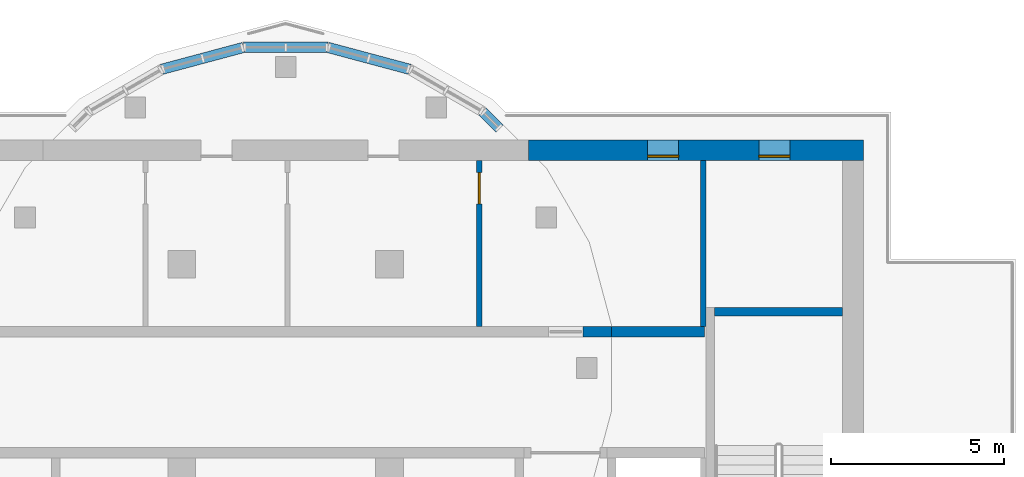
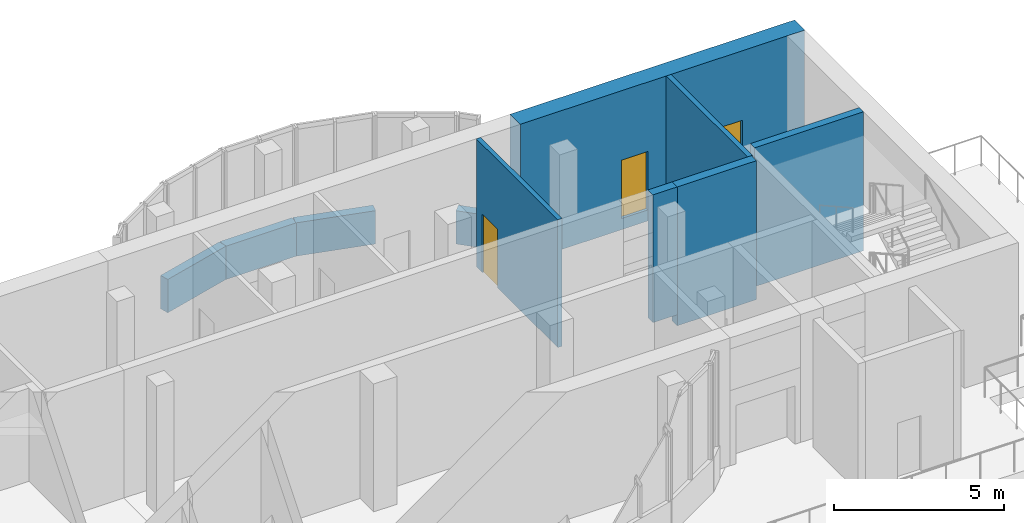
# One storey, part 6 of 10: 10 walls, 3 doors, 3 openings.
"""IFC4 building model written with IfcOpenShell, lengths in metres."""

from ifc_helpers import new_model, si_unit, direction, frame, frame_2d, origin, place, context, subcontext, project, spatial, rectangle, extrude, source, transform, mapped, material, layer, layer_set, type_object, element, fill, save


model = new_model("IFC4")

# Units and contexts
model_context = context("Model", 3, precision=1e-05, world=origin(), true_north=direction((0.0, 1.0)))
body_context = subcontext(model_context, "Body", "Model", "MODEL_VIEW")
ifc_project = project(units=[si_unit("LENGTHUNIT", "METRE"), si_unit("AREAUNIT", "SQUARE_METRE"), si_unit("VOLUMEUNIT", "CUBIC_METRE"), si_unit("PLANEANGLEUNIT", "RADIAN"), si_unit("MASSUNIT", "GRAM", prefix="KILO")], contexts=[model_context])

# Site, building, storey
site_placement = place(None, origin())
site = spatial("IfcSite", under=ifc_project, at=site_placement, CompositionType="ELEMENT")
building_placement = place(site_placement, origin())
building = spatial("IfcBuilding", under=site, at=building_placement, Name="Kilnfold Tower and Market Hall", CompositionType="ELEMENT")
storey_placement = place(building_placement, frame((0.0, 0.0, 323.800048828125)))
storey = spatial("IfcBuildingStorey", under=building, at=storey_placement, Name="L81 Crown Plant", CompositionType="ELEMENT", Elevation=323.800048828125)

# Wall
ifc_material_1 = material(Name="Concrete C50", Category="concrete")
ifc_layer_1 = layer(ifc_material_1, 0.25)
ifc_layer_set_1 = layer_set([ifc_layer_1], Name="Concrete C50")
wall_type_1 = type_object("IfcWallType", Name="CORE WALL 250 C50", PredefinedType="SHEAR", material=ifc_layer_set_1)
shared_shape_1 = source(origin(), body_context, "Body", "SweptSolid", [
    extrude(rectangle(XDim=3.7001953125, YDim=0.25, at=frame_2d((1.85009765625, 0.0))), origin(), (0.0, 0.0, 1.0), 5.0),
])
wall_1_placement = place(storey_placement, frame((13.39990234375, 16.625, -0.400146484375), z_axis=(0.0, 0.0, 1.0), x_axis=(1.0, 0.0, 0.0)))
element("IfcWall", 1, at=wall_1_placement, inside=storey, type_object=wall_type_1, Name="Stair enclosure ST2", PredefinedType="SHEAR", context=body_context, shape_type="MappedRepresentation", body=[
    mapped(shared_shape_1, transform((0.0, 0.0, 0.0))),
])

# Wall, openings, doors
ifc_material_2 = material(Name="Concrete C50", Category="concrete")
ifc_layer_2 = layer(ifc_material_2, 0.60009765625)
ifc_layer_set_2 = layer_set([ifc_layer_2], Name="Concrete C50")
wall_type_2 = type_object("IfcWallType", Name="CORE WALL 600 C50", PredefinedType="SHEAR", material=ifc_layer_set_2)
shared_shape_2 = source(origin(), body_context, "Body", "SweptSolid", [
    extrude(rectangle(XDim=9.679931640625, YDim=0.60009765625, at=frame_2d((4.83984375, 0.0))), origin(), (0.0, 0.0, 1.0), 5.0),
])
wall_2_placement = place(storey_placement, frame((8.02001953125, 21.300048828125, -0.400146484375), z_axis=(0.0, 0.0, 1.0), x_axis=(1.0, 0.0, 0.0)))
wall_2 = element("IfcWall", 2, at=wall_2_placement, inside=storey, type_object=wall_type_2, Name="Core outer wall north", PredefinedType="SHEAR", context=body_context, shape_type="MappedRepresentation", body=[
    mapped(shared_shape_2, transform((0.0, 0.0, 0.0))),
])
opening_1_placement = place(wall_2_placement, frame((3.43994140625, 0.0, 0.39990234375)))
opening_1 = element("IfcOpeningElement", 3, at=opening_1_placement, cuts=wall_2, Name="Opening KD1", PredefinedType="OPENING", context=body_context, shape_type="SweptSolid", body=[
    extrude(rectangle(XDim=0.89990234375, YDim=2.10009765625, at=frame_2d((0.449951171875, 1.050048828125))), frame((0.0, 0.31005859375, 0.0), z_axis=(0.0, -1.0, 0.0), x_axis=(1.0, 0.0, 0.0)), (0.0, 0.0, 1.0), 0.6201171875),
])
opening_2_placement = place(wall_2_placement, frame((6.65478515625, 0.0, 0.39990234375)))
opening_2 = element("IfcOpeningElement", 4, at=opening_2_placement, cuts=wall_2, Name="Opening KD1", PredefinedType="OPENING", context=body_context, shape_type="SweptSolid", body=[
    extrude(rectangle(XDim=0.89990234375, YDim=2.10009765625, at=frame_2d((0.449951171875, 1.050048828125))), frame((0.0, 0.31005859375, 0.0), z_axis=(0.0, -1.0, 0.0), x_axis=(1.0, 0.0, 0.0)), (0.0, 0.0, 1.0), 0.6201171875),
])
ifc_material_3 = material(Name="Steel door set with fire-resisting leaf", Category="steel")
door_type = type_object("IfcDoorType", Name="SERVICE DOOR 900X2100", OperationType="NOTDEFINED", PredefinedType="DOOR", material=ifc_material_3)
door_1_placement = place(opening_1_placement, origin())
door_1 = element("IfcDoor", 5, at=door_1_placement, inside=storey, type_object=door_type, Name="Core service door", OperationType="SINGLE_SWING_LEFT", OverallHeight=2.10009765625, OverallWidth=0.89990234375, PredefinedType="DOOR", context=body_context, shape_type="SweptSolid", body=[
    extrude(rectangle(XDim=0.89990234375, YDim=2.10009765625, at=frame_2d((0.449951171875, 1.050048828125))), frame((0.0, -0.15478515625, 0.0), z_axis=(0.0, -1.0, 0.0), x_axis=(1.0, 0.0, 0.0)), (0.0, 0.0, 1.0), 0.050048828125),
])
fill(opening_1, door_1)
door_2_placement = place(opening_2_placement, origin())
door_2 = element("IfcDoor", 6, at=door_2_placement, inside=storey, type_object=door_type, Name="Mechanical riser access door", OperationType="SINGLE_SWING_RIGHT", OverallHeight=2.10009765625, OverallWidth=0.89990234375, PredefinedType="DOOR", context=body_context, shape_type="SweptSolid", body=[
    extrude(rectangle(XDim=0.89990234375, YDim=2.10009765625, at=frame_2d((0.449951171875, 1.050048828125))), frame((0.0, -0.15478515625, 0.0), z_axis=(0.0, -1.0, 0.0), x_axis=(1.0, 0.0, 0.0)), (0.0, 0.0, 1.0), 0.050048828125),
])
fill(opening_2, door_2)

# Walls
ifc_material_4 = material(Name="Concrete C50", Category="concrete")
ifc_layer_3 = layer(ifc_material_4, 0.300048828125)
ifc_layer_set_3 = layer_set([ifc_layer_3], Name="Concrete C50")
wall_type_3 = type_object("IfcWallType", Name="CORE WALL 300 C50", PredefinedType="SHEAR", material=ifc_layer_set_3)
shared_shape_3 = source(origin(), body_context, "Body", "SweptSolid", [
    extrude(rectangle(XDim=0.82861328125, YDim=0.300048828125, at=frame_2d((0.414306640625, 0.0))), origin(), (0.0, 0.0, 1.0), 4.599853515625),
])
wall_3_placement = place(storey_placement, frame((9.590087890625, 16.050048828125, 0.0), z_axis=(0.0, 0.0, 1.0), x_axis=(1.0, 0.0, 0.0)))
element("IfcWall", 7, at=wall_3_placement, inside=storey, type_object=wall_type_3, Name="Core spine wall", PredefinedType="SHEAR", context=body_context, shape_type="MappedRepresentation", body=[
    mapped(shared_shape_3, transform((0.0, 0.0, 0.0))),
])
shared_shape_4 = source(origin(), body_context, "Body", "SweptSolid", [
    extrude(rectangle(XDim=2.69140625, YDim=0.300048828125, at=frame_2d((1.345703125, 0.0))), origin(), (0.0, 0.0, 1.0), 5.0),
])
wall_4_placement = place(storey_placement, frame((10.418701171875, 16.050048828125, -0.400146484375), z_axis=(0.0, 0.0, 1.0), x_axis=(1.0, 0.0, 0.0)))
element("IfcWall", 8, at=wall_4_placement, inside=storey, type_object=wall_type_3, Name="Core spine wall", PredefinedType="SHEAR", context=body_context, shape_type="MappedRepresentation", body=[
    mapped(shared_shape_4, transform((0.0, 0.0, 0.0))),
])
ifc_material_5 = material(Name="Precast concrete C50/60", Category="concrete")
ifc_layer_4 = layer(ifc_material_5, 0.300048828125)
ifc_layer_set_4 = layer_set([ifc_layer_4], Name="Precast concrete C50/60")
wall_type_4 = type_object("IfcWallType", Name="PRECAST WALL 300", PredefinedType="SOLIDWALL", material=ifc_layer_set_4)
shared_shape_5 = source(origin(), body_context, "Body", "SweptSolid", [
    extrude(rectangle(XDim=2.4404296875, YDim=0.300048828125, at=frame_2d((1.22021484375, 0.0))), origin(), (0.0, 0.0, 1.0), 1.199951171875),
])
wall_5_placement = place(storey_placement, frame((2.22021484375, 24.268798828125, 0.0), z_axis=(0.0, 0.0, 1.0), x_axis=(-1.0, 0.0, 0.0)))
element("IfcWall", 9, at=wall_5_placement, inside=storey, type_object=wall_type_4, Name="Drum knee wall L81 13", PredefinedType="SOLIDWALL", context=body_context, shape_type="MappedRepresentation", body=[
    mapped(shared_shape_5, transform((0.0, 0.0, 0.0))),
])
shared_shape_6 = source(origin(), body_context, "Body", "SweptSolid", [
    extrude(rectangle(XDim=0.697265625, YDim=0.300048828125, at=frame_2d((0.3486328125, 0.0))), origin(), (0.0, 0.0, 1.0), 1.199951171875),
])
wall_6_placement = place(storey_placement, frame((7.18408203125, 21.923828125, 0.0), z_axis=(0.0, 0.0, 1.0), x_axis=(-0.706931689754, 0.707281829274, 0.0)))
element("IfcWall", 10, at=wall_6_placement, inside=storey, type_object=wall_type_4, Name="Drum knee wall L81 10", PredefinedType="SOLIDWALL", context=body_context, shape_type="MappedRepresentation", body=[
    mapped(shared_shape_6, transform((0.0, 0.0, 0.0))),
])
shared_shape_7 = source(origin(), body_context, "Body", "SweptSolid", [
    extrude(rectangle(XDim=2.440673828125, YDim=0.300048828125, at=frame_2d((1.22021484375, 0.0))), origin(), (0.0, 0.0, 1.0), 1.199951171875),
])
for number, where, z_axis, x_axis, name in (
    (11, (4.57763671875, 23.63720703125, 0.0), (0.0, 0.0, 1.0), (-0.96593376363, 0.258789420724, 0.0), "Drum knee wall L81 12"),
    (12, (-0.22021484375, 24.268798828125, 0.0), (0.0, 0.0, 1.0), (-0.96593376363, -0.258789420724, 0.0), "Drum knee wall L81 14"),
):
    element("IfcWall", number, at=place(storey_placement, frame(where, z_axis=z_axis, x_axis=x_axis)), inside=storey, type_object=wall_type_4, Name=name, PredefinedType="SOLIDWALL", context=body_context, shape_type="MappedRepresentation", body=[
        mapped(shared_shape_7, transform((0.0, 0.0, 0.0))),
    ])
ifc_material_6 = material(Name="Gypsum shaft wall system")
ifc_layer_5 = layer(ifc_material_6, 0.1650390625)
ifc_layer_set_5 = layer_set([ifc_layer_5], Name="Gypsum shaft wall system")
wall_type_5 = type_object("IfcWallType", Name="SHAFT WALL 165", PredefinedType="PARTITIONING", material=ifc_layer_set_5)
shared_shape_8 = source(origin(), body_context, "Body", "SweptSolid", [
    extrude(rectangle(XDim=4.800048828125, YDim=0.1650390625, at=frame_2d((2.39990234375, 0.0))), origin(), (0.0, 0.0, 1.0), 4.599853515625),
])
wall_7_placement = place(storey_placement, frame((13.0673828125, 16.199951171875, 0.0), z_axis=(0.0, 0.0, 1.0), x_axis=(0.0, 1.0, 0.0)))
element("IfcWall", 13, at=wall_7_placement, inside=storey, type_object=wall_type_5, Name="Lift shaft wall", PredefinedType="PARTITIONING", context=body_context, shape_type="MappedRepresentation", body=[
    mapped(shared_shape_8, transform((0.0, 0.0, 0.0))),
])

# Wall, opening, door
ifc_material_7 = material(Name="Gypsum shaft wall system")
ifc_layer_6 = layer(ifc_material_7, 0.14990234375)
ifc_layer_set_6 = layer_set([ifc_layer_6], Name="Gypsum shaft wall system")
wall_type_6 = type_object("IfcWallType", Name="ROOM WALL 150", PredefinedType="PARTITIONING", material=ifc_layer_set_6)
shared_shape_9 = source(origin(), body_context, "Body", "SweptSolid", [
    extrude(rectangle(XDim=4.800048828125, YDim=0.14990234375, at=frame_2d((2.39990234375, 0.0))), origin(), (0.0, 0.0, 1.0), 4.599853515625),
])
wall_8_placement = place(storey_placement, frame((6.59765625, 16.199951171875, 0.0), z_axis=(0.0, 0.0, 1.0), x_axis=(0.0, 1.0, 0.0)))
wall_8 = element("IfcWall", 14, at=wall_8_placement, inside=storey, type_object=wall_type_6, Name="Core room wall", PredefinedType="PARTITIONING", context=body_context, shape_type="MappedRepresentation", body=[
    mapped(shared_shape_9, transform((0.0, 0.0, 0.0))),
])
opening_3_placement = place(wall_8_placement, frame((3.550048828125, 0.0, 0.0)))
opening_3 = element("IfcOpeningElement", 15, at=opening_3_placement, cuts=wall_8, Name="Opening KD1", PredefinedType="OPENING", context=body_context, shape_type="SweptSolid", body=[
    extrude(rectangle(XDim=0.89990234375, YDim=2.10009765625, at=frame_2d((0.449951171875, 1.050048828125))), frame((0.0, 0.0849609375, 0.0), z_axis=(0.0, -1.0, 0.0), x_axis=(1.0, 0.0, 0.0)), (0.0, 0.0, 1.0), 0.169921875),
])
door_3_placement = place(opening_3_placement, origin())
door_3 = element("IfcDoor", 16, at=door_3_placement, inside=storey, type_object=door_type, Name="Core service door", OperationType="SINGLE_SWING_RIGHT", OverallHeight=2.10009765625, OverallWidth=0.89990234375, PredefinedType="DOOR", context=body_context, shape_type="SweptSolid", body=[
    extrude(rectangle(XDim=0.89990234375, YDim=2.10009765625, at=frame_2d((0.449951171875, 1.050048828125))), frame((0.0, 0.02490234375, 0.0), z_axis=(0.0, -1.0, 0.0), x_axis=(1.0, 0.0, 0.0)), (0.0, 0.0, 1.0), 0.050048828125),
])
fill(opening_3, door_3)

save(model, "model.ifc")
